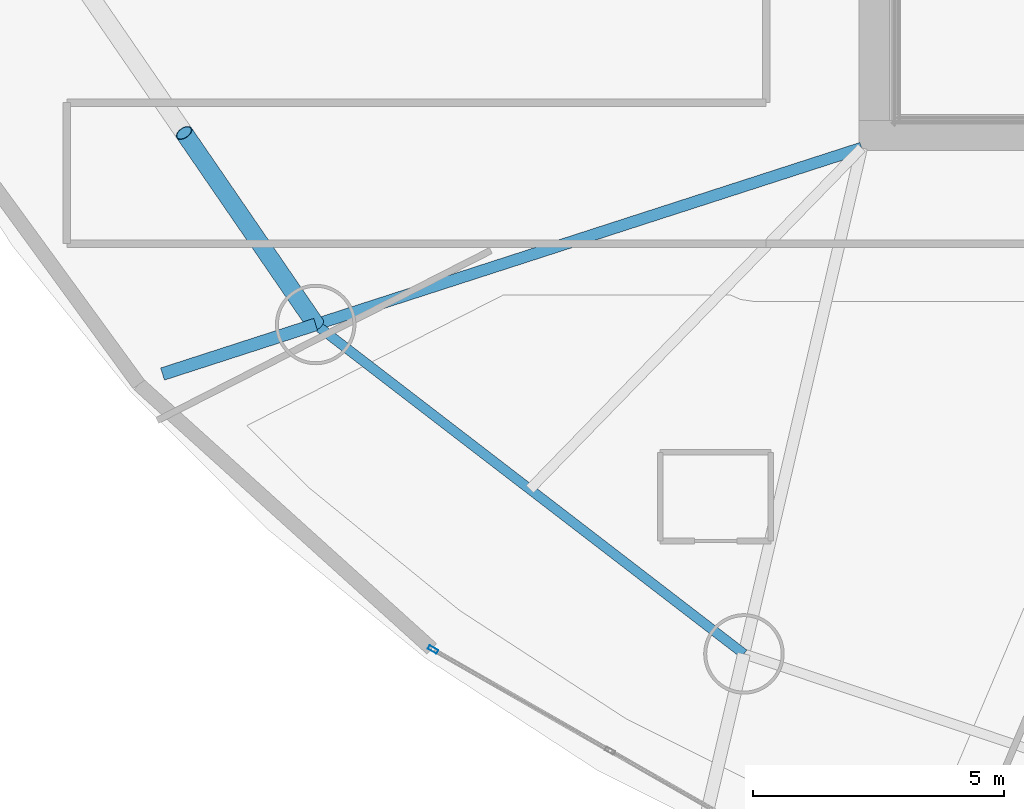
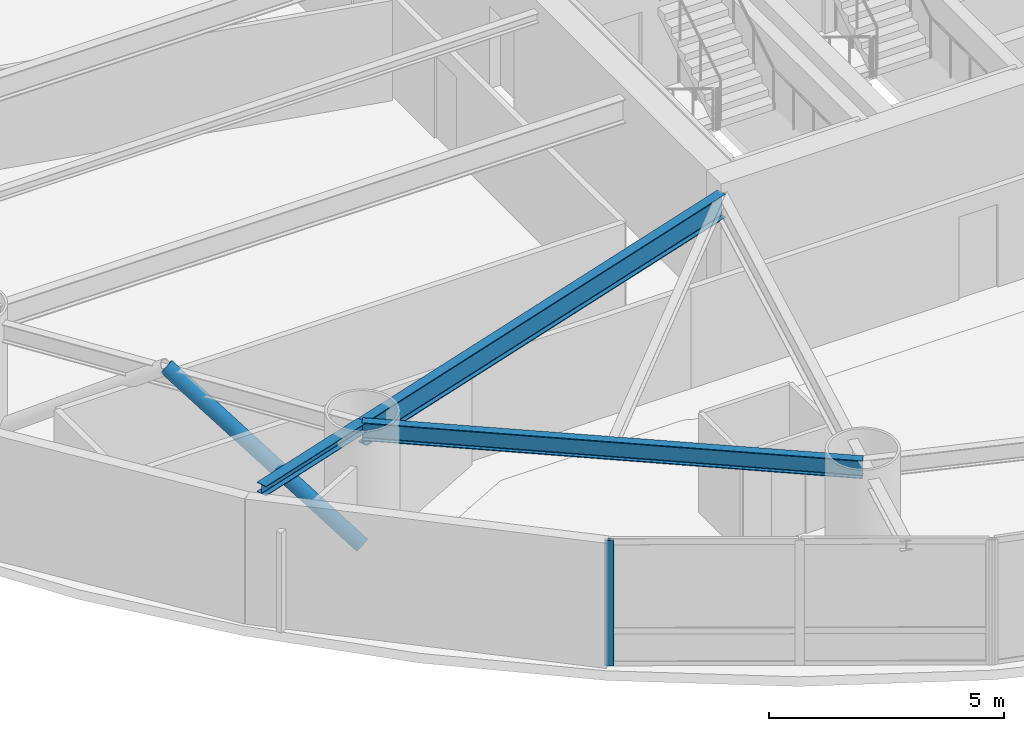
# One storey, part 2 of 23: 3 beams, 2 members, 1 element without a shape of its own.
"""IFC4 building model written with IfcOpenShell, lengths in metres."""

from ifc_helpers import new_model, si_unit, direction, frame, origin, origin_2d, place, context, subcontext, project, spatial, hollow_rectangle, hollow_circle, i_section, extrude, material, layer, layer_set, material_profile, profile_set, type_object, element, aggregate, save


model = new_model("IFC4")

# Units and contexts
model_context = context("Model", 3, precision=1e-05, world=origin(), true_north=direction((0.0, 1.0)))
body_context = subcontext(model_context, "Body", "Model", "MODEL_VIEW")
ifc_project = project(units=[si_unit("LENGTHUNIT", "METRE"), si_unit("AREAUNIT", "SQUARE_METRE"), si_unit("VOLUMEUNIT", "CUBIC_METRE"), si_unit("PLANEANGLEUNIT", "RADIAN"), si_unit("MASSUNIT", "GRAM", prefix="KILO")], contexts=[model_context])

# Site, building, storey
site_placement = place(None, origin())
site = spatial("IfcSite", under=ifc_project, at=site_placement, CompositionType="ELEMENT")
building_placement = place(site_placement, origin())
building = spatial("IfcBuilding", under=site, at=building_placement, Name="Bramvorn Convention Spire", CompositionType="ELEMENT")
storey_placement = place(building_placement, frame((0.0, 0.0, 69.39990234375)))
storey = spatial("IfcBuildingStorey", under=building, at=storey_placement, Name="L15", CompositionType="ELEMENT", Elevation=69.39990234375)

# Beams
ifc_material_1 = material(Name="Steel CSA G40.21 Grade 350 (350W)", Category="steel")
ifc_material_profile_1 = material_profile(ifc_material_1, i_section(OverallWidth=0.25390625, OverallDepth=0.2529296875, WebThickness=0.008544921875, FlangeThickness=0.01416015625, FilletRadius=0.011962890625, at=origin_2d()))
ifc_profile_set_1 = profile_set([ifc_material_profile_1], Name="Steel CSA G40.21 Grade 350 (350W) - W250X73")
beam_type_1 = type_object("IfcBeamType", Name="BM-W250X73", PredefinedType="BEAM", material=ifc_profile_set_1)
beam_1_placement = place(storey_placement, frame((15.894775390625, 15.039794921875, 3.12353515625), z_axis=(-0.951483286173, -0.307700432454, 0.0), x_axis=(0.307700432454, -0.951483286173, 0.0)))
element("IfcBeam", 1, at=beam_1_placement, inside=storey, type_object=beam_type_1, Name="L15 slab-edge cantilever tip beam MC11", PredefinedType="BEAM", context=body_context, shape_type="SweptSolid", body=[
    extrude(i_section(OverallWidth=0.25390625, OverallDepth=0.2529296875, WebThickness=0.008544921875, FlangeThickness=0.01416015625, FilletRadius=0.011962890625, at=origin_2d()), origin(), (0.0, 0.0, 1.0), 3.199951171875),
])
ifc_material_profile_2 = material_profile(ifc_material_1, i_section(OverallWidth=0.194091796875, OverallDepth=0.468994140625, WebThickness=0.0126953125, FlangeThickness=0.0205078125, FilletRadius=0.01806640625, at=origin_2d()))
ifc_profile_set_2 = profile_set([ifc_material_profile_2], Name="Steel CSA G40.21 Grade 350 (350W) - W460X106")
beam_type_2 = type_object("IfcBeamType", Name="BM-W460X106", PredefinedType="SPANDREL", material=ifc_profile_set_2)
beam_2_placement = place(storey_placement, frame((15.894775390625, 15.039794921875, 3.015625), z_axis=(0.792672990445, -0.609647053809, 0.0), x_axis=(0.609647053809, 0.792672990445, 0.0)))
element("IfcBeam", 2, at=beam_2_placement, inside=storey, type_object=beam_type_2, Name="L15 mega-column ring beam 11", PredefinedType="SPANDREL", context=body_context, shape_type="SweptSolid", body=[
    extrude(i_section(OverallWidth=0.194091796875, OverallDepth=0.468994140625, WebThickness=0.0126953125, FlangeThickness=0.0205078125, FilletRadius=0.01806640625, at=origin_2d()), origin(), (0.0, 0.0, 1.0), 10.741943359375),
])
ifc_material_profile_3 = material_profile(ifc_material_1, i_section(OverallWidth=0.22998046875, OverallDepth=0.616943359375, WebThickness=0.01318359375, FlangeThickness=0.022216796875, FilletRadius=0.02001953125, at=origin_2d()))
ifc_profile_set_3 = profile_set([ifc_material_profile_3], Name="Steel CSA G40.21 Grade 350 (350W) - W610X140")
beam_type_3 = type_object("IfcBeamType", Name="BM-W610X140", PredefinedType="BEAM", material=ifc_profile_set_3)
beam_3_placement = place(storey_placement, frame((26.75, 18.550048828125, 2.941650390625), z_axis=(-0.951488933275, -0.307682969719, 0.0), x_axis=(0.307682969719, -0.951488933275, 0.0)))
element("IfcBeam", 3, at=beam_3_placement, inside=storey, type_object=beam_type_3, Name="L15 radial floor girder MC11", PredefinedType="BEAM", context=body_context, shape_type="SweptSolid", body=[
    extrude(i_section(OverallWidth=0.22998046875, OverallDepth=0.616943359375, WebThickness=0.01318359375, FlangeThickness=0.022216796875, FilletRadius=0.02001953125, at=origin_2d()), origin(), (0.0, 0.0, 1.0), 11.40869140625),
])

# Curtain wall, member
ifc_material_2 = material(Name="Anodised Bronze Unitised Curtain Wall", Category="aluminium")
ifc_layer = layer(ifc_material_2, 0.179931640625)
ifc_layer_set = layer_set([ifc_layer], Name="Anodised Bronze Unitised Curtain Wall - CW-HTL-FRIT")
curtain_wall_type = type_object("IfcCurtainWallType", Name="CW-HTL-FRIT", PredefinedType="USERDEFINED", material=ifc_layer_set)
curtain_wall_placement = place(storey_placement, origin())
curtain_wall = element("IfcCurtainWall", 4, at=curtain_wall_placement, inside=storey, type_object=curtain_wall_type, Name="L15 fritted glass curtain wall 17", ObjectType="UNITISED CURTAIN WALL", PredefinedType="USERDEFINED")
ifc_material_3 = material(Name="Anodised Bronze Aluminium 6063-T6", Category="aluminium")
ifc_material_profile_4 = material_profile(ifc_material_3, hollow_rectangle(XDim=0.080078125, YDim=0.199951171875, WallThickness=0.00390625, InnerFilletRadius=0.0009765625, OuterFilletRadius=0.00390625, at=origin_2d()))
ifc_profile_set_4 = profile_set([ifc_material_profile_4], Name="Anodised Bronze Aluminium 6063-T6 - CWM80X200")
member_type_1 = type_object("IfcMemberType", Name="CW-MUL-180", PredefinedType="MULLION", material=ifc_profile_set_4)
member_1_placement = place(storey_placement, frame((18.22802734375, 8.578125, 0.0), z_axis=(0.0, 0.0, 1.0), x_axis=(-0.496597537996, -0.867980924477, 0.0)))
member_1 = element("IfcMember", 5, at=member_1_placement, type_object=member_type_1, Name="CW2 mullion 3", PredefinedType="MULLION", context=body_context, shape_type="SweptSolid", body=[
    extrude(hollow_rectangle(XDim=0.080078125, YDim=0.199951171875, WallThickness=0.00390625, InnerFilletRadius=0.0009765625, OuterFilletRadius=0.00390625, at=origin_2d()), origin(), (0.0, 0.0, 1.0), 3.25),
])
aggregate(curtain_wall, [member_1])

# Member
ifc_material_profile_5 = material_profile(ifc_material_1, hollow_circle(Radius=0.177734375, WallThickness=0.015869140625, at=origin_2d()))
ifc_profile_set_5 = profile_set([ifc_material_profile_5], Name="Steel CSA G40.21 Grade 350 (350W) - CHS356X16")
member_type_2 = type_object("IfcMemberType", Name="MBR-CHS356X16", PredefinedType="BRACE", material=ifc_profile_set_5)
member_2_placement = place(storey_placement, frame((15.894775390625, 15.039794921875, 0.0), z_axis=(-0.463106048325, 0.674307985647, 0.575188254833), x_axis=(-0.824316157743, -0.566129730789, 0.0)))
element("IfcMember", 6, at=member_2_placement, inside=storey, type_object=member_type_2, Name="L15 perimeter Gothic lancet brace 10B", PredefinedType="BRACE", context=body_context, shape_type="SweptSolid", body=[
    extrude(hollow_circle(Radius=0.177734375, WallThickness=0.015869140625, at=origin_2d()), origin(), (0.0, 0.0, 1.0), 5.650390625),
])

save(model, "model.ifc")
